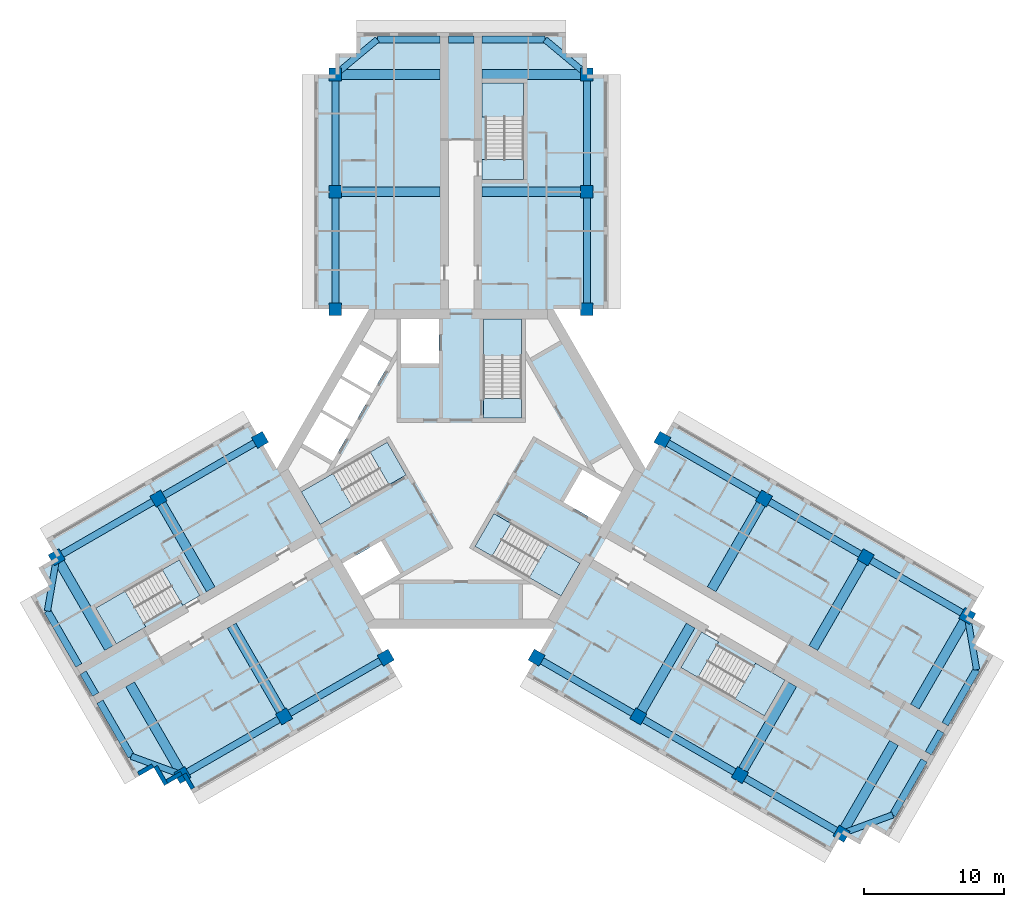
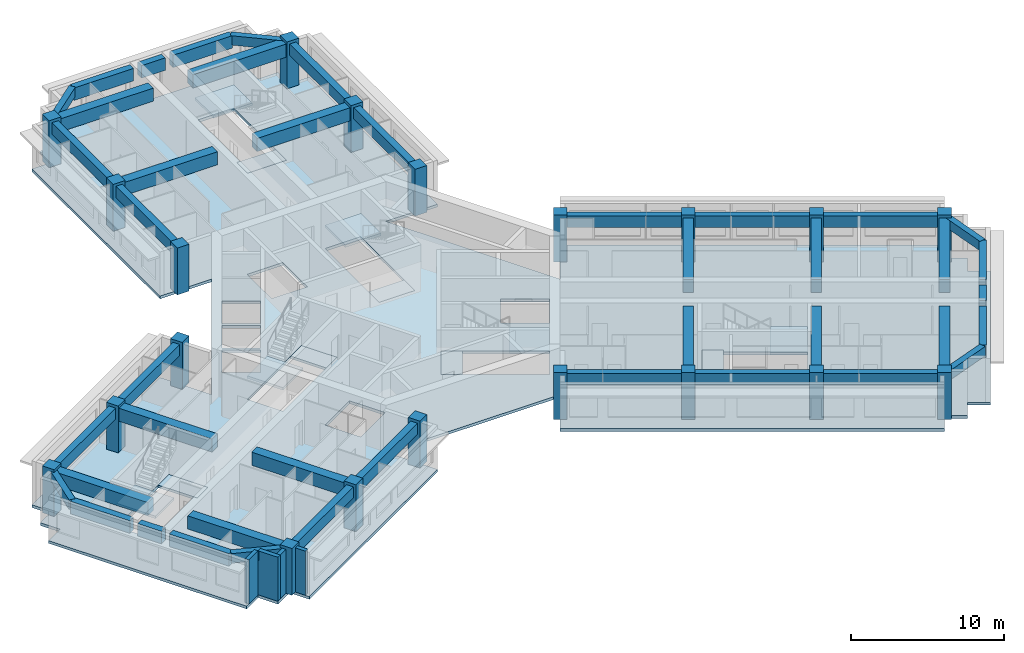
# One storey, part 1 of 10: 43 beams, 20 columns, 13 slabs, 4 walls, 6 elements without a shape of their own.
"""IFC4 building model written with IfcOpenShell, lengths in metres."""

from ifc_helpers import new_model, si_unit, direction, frame, frame_2d, origin, origin_2d, place, context, subcontext, project, spatial, polyline, rectangle, outline, extrude, material, layer, layer_set, material_profile, profile_set, type_object, element, aggregate, save


model = new_model("IFC4")

# Units and contexts
model_context = context("Model", 3, precision=1e-05, world=origin(), true_north=direction((0.0, 1.0)))
body_context = subcontext(model_context, "Body", "Model", "MODEL_VIEW")
ifc_project = project(units=[si_unit("LENGTHUNIT", "METRE"), si_unit("AREAUNIT", "SQUARE_METRE"), si_unit("VOLUMEUNIT", "CUBIC_METRE"), si_unit("PLANEANGLEUNIT", "RADIAN"), si_unit("MASSUNIT", "GRAM", prefix="KILO")], contexts=[model_context])

# Site, building, storey
site_placement = place(None, origin())
site = spatial("IfcSite", under=ifc_project, at=site_placement, CompositionType="ELEMENT")
building_placement = place(site_placement, origin())
building = spatial("IfcBuilding", under=site, at=building_placement, Name="Impinga Residences", CompositionType="ELEMENT")
storey_placement = place(building_placement, frame((0.0, 0.0, 229.75)))
storey = spatial("IfcBuildingStorey", under=building, at=storey_placement, Name="L57", CompositionType="ELEMENT", Elevation=229.75)

# Columns
ifc_material_1 = material(Name="Concrete C60/75", Category="concrete")
ifc_material_profile_1 = material_profile(ifc_material_1, rectangle(XDim=0.89990234375, YDim=0.89990234375, at=origin_2d()), Name="RC 900x900")
ifc_profile_set_1 = profile_set([ifc_material_profile_1], Name="Concrete C60/75")
column_type = type_object("IfcColumnType", Name="C4 900x900 column", PredefinedType="COLUMN", material=ifc_profile_set_1)
for number, where, z_axis, x_axis, name in (
    (1, (-9.0, 11.431640625, 0.0), (0.0, 0.0, 1.0), (1.0, 0.0, 0.0), "Column C4 N1/NA L57"),
    (2, (9.0, 11.431640625, 0.0), (0.0, 0.0, 1.0), (1.0, 0.0, 0.0), "Column C4 N1/NF L57"),
    (3, (-9.0, 19.83154296875, 0.0), (0.0, 0.0, 1.0), (1.0, 0.0, 0.0), "Column C4 N2/NA L57"),
    (4, (9.0, 19.83154296875, 0.0), (0.0, 0.0, 1.0), (1.0, 0.0, 0.0), "Column C4 N2/NF L57"),
    (5, (-9.0, 28.2314453125, 0.0), (0.0, 0.0, 1.0), (1.0, 0.0, 0.0), "Column C4 N3/NA L57"),
    (6, (9.0, 28.2314453125, 0.0), (0.0, 0.0, 1.0), (1.0, 0.0, 0.0), "Column C4 N3/NF L57"),
    (7, (-5.39990234375, -13.510009765625, 0.0), (0.0, 0.0, 1.0), (-0.5, 0.866025403784, 0.0), "Column C4 W1/WA L57"),
    (8, (-14.39990234375, 2.078369140625, 0.0), (0.0, 0.0, 1.0), (-0.5, 0.866025403784, 0.0), "Column C4 W1/WF L57"),
    (9, (-12.674560546875, -17.7099609375, 0.0), (0.0, 0.0, 1.0), (-0.5, 0.866025403784, 0.0), "Column C4 W2/WA L57"),
    (10, (-21.674560546875, -2.12158203125, 0.0), (0.0, 0.0, 1.0), (-0.5, 0.866025403784, 0.0), "Column C4 W2/WF L57"),
    (11, (-19.94921875, -21.909912109375, 0.0), (0.0, 0.0, 1.0), (-0.5, 0.866025403784, 0.0), "Column C4 W3/WA L57"),
    (12, (-28.94921875, -6.321533203125, 0.0), (0.0, 0.0, 1.0), (-0.5, 0.866025403784, 0.0), "Column C4 W3/WF L57"),
    (13, (14.39990234375, 2.078369140625, 0.0), (0.0, 0.0, 1.0), (-0.5, -0.866025403784, 0.0), "Column C4 E1/EA L57"),
    (14, (5.39990234375, -13.510009765625, 0.0), (0.0, 0.0, 1.0), (-0.5, -0.866025403784, 0.0), "Column C4 E1/EF L57"),
    (15, (21.674560546875, -2.12158203125, 0.0), (0.0, 0.0, 1.0), (-0.5, -0.866025403784, 0.0), "Column C4 E2/EA L57"),
    (16, (12.674560546875, -17.7099609375, 0.0), (0.0, 0.0, 1.0), (-0.5, -0.866025403784, 0.0), "Column C4 E2/EF L57"),
    (17, (28.94921875, -6.321533203125, 0.0), (0.0, 0.0, 1.0), (-0.5, -0.866025403784, 0.0), "Column C4 E3/EA L57"),
    (18, (19.94921875, -21.909912109375, 0.0), (0.0, 0.0, 1.0), (-0.5, -0.866025403784, 0.0), "Column C4 E3/EF L57"),
    (19, (36.223876953125, -10.521484375, 0.0), (0.0, 0.0, 1.0), (-0.5, -0.866025403784, 0.0), "Column C4 E4/EA L57"),
    (20, (27.223876953125, -26.110107421875, 0.0), (0.0, 0.0, 1.0), (-0.5, -0.866025403784, 0.0), "Column C4 E4/EF L57"),
):
    element("IfcColumn", number, at=place(storey_placement, frame(where, z_axis=z_axis, x_axis=x_axis)), inside=storey, type_object=column_type, Name=name, PredefinedType="COLUMN", context=body_context, shape_type="SweptSolid", body=[
        extrude(rectangle(XDim=0.89990234375, YDim=0.89990234375, at=origin_2d()), origin(), (0.0, 0.0, 1.0), 3.75),
    ])

# Beams
ifc_material_profile_2 = material_profile(ifc_material_1, rectangle(XDim=0.449951171875, YDim=0.75, at=origin_2d()), Name="RC 450x750")
ifc_profile_set_2 = profile_set([ifc_material_profile_2], Name="Concrete C60/75")
beam_type_1 = type_object("IfcBeamType", Name="CB1 450x750 wing end cantilever beam", PredefinedType="BEAM", material=ifc_profile_set_2)
for number, where, z_axis, x_axis, name in (
    (21, (-9.0, 28.2314453125, 3.155029296875), (0.768221279597, 0.640184399664, 0.0), (-0.640184399664, 0.768221279597, 0.0), "Beam CB1 NB N3-NX level L58"),
    (22, (9.0, 28.2314453125, 3.155029296875), (-0.768221279597, 0.640184399664, 0.0), (-0.640184399664, -0.768221279597, 0.0), "Beam CB1 NE N3-NX level L58"),
    (23, (-19.94921875, -21.909912109375, 3.155029296875), (-0.93854043338, 0.345169313396, 0.0), (-0.345169313396, -0.93854043338, 0.0), "Beam CB1 WB W3-WX level L58"),
):
    element("IfcBeam", number, at=place(storey_placement, frame(where, z_axis=z_axis, x_axis=x_axis)), inside=storey, type_object=beam_type_1, Name=name, PredefinedType="BEAM", context=body_context, shape_type="SweptSolid", body=[
        extrude(rectangle(XDim=0.449951171875, YDim=0.75, at=origin_2d()), origin(), (0.0, 0.0, 1.0), 3.905029296875),
    ])
for number, where, z_axis, x_axis, name in (
    (24, (-28.94921875, -6.321533203125, 3.155029296875), (-0.170296298948, -0.985392901621, 0.0), (0.985392901621, -0.170296298948, 0.0), "Beam CB1 WE W3-WX level L58"),
    (25, (36.223876953125, -10.521484375, 3.155029296875), (0.170296298948, -0.985392901621, 0.0), (0.985392901621, 0.170296298948, 0.0), "Beam CB1 EB E4-EX level L58"),
):
    element("IfcBeam", number, at=place(storey_placement, frame(where, z_axis=z_axis, x_axis=x_axis)), inside=storey, type_object=beam_type_1, Name=name, PredefinedType="BEAM", context=body_context, shape_type="SweptSolid", body=[
        extrude(rectangle(XDim=0.449951171875, YDim=0.75, at=origin_2d()), origin(), (0.0, 0.0, 1.0), 3.9052734375),
    ])
beam_1_placement = place(storey_placement, frame((27.223876953125, -26.110107421875, 3.155029296875), z_axis=(0.938520178725, 0.345224382289, 0.0), x_axis=(-0.345224382289, 0.938520178725, 0.0)))
element("IfcBeam", 26, at=beam_1_placement, inside=storey, type_object=beam_type_1, Name="Beam CB1 EE E4-EX level L58", PredefinedType="BEAM", context=body_context, shape_type="SweptSolid", body=[
    extrude(rectangle(XDim=0.449951171875, YDim=0.75, at=origin_2d()), origin(), (0.0, 0.0, 1.0), 3.905029296875),
])
ifc_material_profile_3 = material_profile(ifc_material_1, rectangle(XDim=0.699951171875, YDim=1.050048828125, at=origin_2d()), Name="RC 700x1050")
ifc_profile_set_3 = profile_set([ifc_material_profile_3], Name="Concrete C60/75")
beam_type_2 = type_object("IfcBeamType", Name="CG1 700x1050 cross girder on a wing bay line", PredefinedType="BEAM", material=ifc_profile_set_3)
for number, where, z_axis, x_axis, name in (
    (27, (-1.5, 19.83154296875, 3.0048828125), (-1.0, 0.0, 0.0), (0.0, -1.0, 0.0), "Beam CG1 N2 NC/NA level L58"),
    (28, (-1.5, 28.2314453125, 3.0048828125), (-1.0, 0.0, 0.0), (0.0, -1.0, 0.0), "Beam CG1 N3 NC/NA level L58"),
    (29, (1.5, 19.83154296875, 3.0048828125), (1.0, 0.0, 0.0), (0.0, 1.0, 0.0), "Beam CG1 N2 NC/NF level L58"),
    (30, (1.5, 28.2314453125, 3.0048828125), (1.0, 0.0, 0.0), (0.0, 1.0, 0.0), "Beam CG1 N3 NC/NF level L58"),
    (31, (-16.424560546875, -11.21484375, 3.0048828125), (0.500004234368, -0.866022959057, 0.0), (0.866022959057, 0.500004234368, 0.0), "Beam CG1 W2 WC/WA level L58"),
    (32, (-23.69921875, -15.414794921875, 3.0048828125), (0.500004234368, -0.866022959057, 0.0), (0.866022959057, 0.500004234368, 0.0), "Beam CG1 W3 WC/WA level L58"),
    (33, (-17.924560546875, -8.61669921875, 3.0048828125), (-0.500004234368, 0.866022959057, 0.0), (-0.866022959057, -0.500004234368, 0.0), "Beam CG1 W2 WC/WF level L58"),
    (34, (-25.19921875, -12.816650390625, 3.0048828125), (-0.500004234368, 0.866022959057, 0.0), (-0.866022959057, -0.500004234368, 0.0), "Beam CG1 W3 WC/WF level L58"),
    (35, (17.924560546875, -8.61669921875, 3.0048828125), (0.500004234368, 0.866022959057, 0.0), (-0.866022959057, 0.500004234368, 0.0), "Beam CG1 E2 EC/EA level L58"),
    (36, (25.19921875, -12.816650390625, 3.0048828125), (0.500004234368, 0.866022959057, 0.0), (-0.866022959057, 0.500004234368, 0.0), "Beam CG1 E3 EC/EA level L58"),
):
    element("IfcBeam", number, at=place(storey_placement, frame(where, z_axis=z_axis, x_axis=x_axis)), inside=storey, type_object=beam_type_2, Name=name, PredefinedType="BEAM", context=body_context, shape_type="SweptSolid", body=[
        extrude(rectangle(XDim=0.699951171875, YDim=1.050048828125, at=origin_2d()), origin(), (0.0, 0.0, 1.0), 7.5),
    ])
beam_2_placement = place(storey_placement, frame((32.473876953125, -17.016845703125, 3.0048828125), z_axis=(0.499990139034, 0.866031096941, 0.0), x_axis=(-0.866031096941, 0.499990139034, 0.0)))
element("IfcBeam", 37, at=beam_2_placement, inside=storey, type_object=beam_type_2, Name="Beam CG1 E4 EC/EA level L58", PredefinedType="BEAM", context=body_context, shape_type="SweptSolid", body=[
    extrude(rectangle(XDim=0.699951171875, YDim=1.050048828125, at=origin_2d()), origin(), (0.0, 0.0, 1.0), 7.500244140625),
])
for number, where, z_axis, x_axis, name in (
    (38, (16.424560546875, -11.21484375, 3.0048828125), (-0.500004234368, -0.866022959057, 0.0), (0.866022959057, -0.500004234368, 0.0), "Beam CG1 E2 EC/EF level L58"),
    (39, (23.69921875, -15.414794921875, 3.0048828125), (-0.500004234368, -0.866022959057, 0.0), (0.866022959057, -0.500004234368, 0.0), "Beam CG1 E3 EC/EF level L58"),
):
    element("IfcBeam", number, at=place(storey_placement, frame(where, z_axis=z_axis, x_axis=x_axis)), inside=storey, type_object=beam_type_2, Name=name, PredefinedType="BEAM", context=body_context, shape_type="SweptSolid", body=[
        extrude(rectangle(XDim=0.699951171875, YDim=1.050048828125, at=origin_2d()), origin(), (0.0, 0.0, 1.0), 7.5),
    ])
beam_3_placement = place(storey_placement, frame((30.973876953125, -19.61474609375, 3.0048828125), z_axis=(-0.499990139034, -0.866031096941, 0.0), x_axis=(0.866031096941, -0.499990139034, 0.0)))
element("IfcBeam", 40, at=beam_3_placement, inside=storey, type_object=beam_type_2, Name="Beam CG1 E4 EC/EF level L58", PredefinedType="BEAM", context=body_context, shape_type="SweptSolid", body=[
    extrude(rectangle(XDim=0.699951171875, YDim=1.050048828125, at=origin_2d()), origin(), (0.0, 0.0, 1.0), 7.500244140625),
])
ifc_material_profile_4 = material_profile(ifc_material_1, rectangle(XDim=0.5, YDim=1.0, at=origin_2d()), Name="RC 500x1000")
ifc_profile_set_4 = profile_set([ifc_material_profile_4], Name="Concrete C60/75")
beam_type_3 = type_object("IfcBeamType", Name="EB1 500x1000 wing end beam", PredefinedType="BEAM", material=ifc_profile_set_4)
beam_4_placement = place(storey_placement, frame((-6.0, 30.7314453125, 3.030029296875), z_axis=(1.0, 0.0, 0.0), x_axis=(0.0, 1.0, 0.0)))
element("IfcBeam", 41, at=beam_4_placement, inside=storey, type_object=beam_type_3, Name="Beam EB1 NX2 level L58", PredefinedType="BEAM", context=body_context, shape_type="SweptSolid", body=[
    extrude(rectangle(XDim=0.5, YDim=1.0, at=origin_2d()), origin(), (0.0, 0.0, 1.0), 4.5),
])
beam_5_placement = place(storey_placement, frame((-0.89990234375, 30.7314453125, 3.030029296875), z_axis=(1.0, 0.0, 0.0), x_axis=(0.0, 1.0, 0.0)))
element("IfcBeam", 42, at=beam_5_placement, inside=storey, type_object=beam_type_3, Name="Beam EB1 NX2 level L58", PredefinedType="BEAM", context=body_context, shape_type="SweptSolid", body=[
    extrude(rectangle(XDim=0.5, YDim=1.0, at=origin_2d()), origin(), (0.0, 0.0, 1.0), 1.7998046875),
])
for number, where, z_axis, x_axis, name in (
    (43, (1.5, 30.7314453125, 3.030029296875), (1.0, 0.0, 0.0), (0.0, 1.0, 0.0), "Beam EB1 NX2 level L58"),
    (44, (-23.6142578125, -20.56201171875, 3.030029296875), (-0.499990139034, 0.866031096941, 0.0), (-0.866031096941, -0.499990139034, 0.0), "Beam EB1 WX2 level L58"),
):
    element("IfcBeam", number, at=place(storey_placement, frame(where, z_axis=z_axis, x_axis=x_axis)), inside=storey, type_object=beam_type_3, Name=name, PredefinedType="BEAM", context=body_context, shape_type="SweptSolid", body=[
        extrude(rectangle(XDim=0.5, YDim=1.0, at=origin_2d()), origin(), (0.0, 0.0, 1.0), 4.5),
    ])
beam_6_placement = place(storey_placement, frame((-26.164306640625, -16.145263671875, 3.030029296875), z_axis=(-0.499961193289, 0.866047807691, 0.0), x_axis=(-0.866047807691, -0.499961193289, 0.0)))
element("IfcBeam", 45, at=beam_6_placement, inside=storey, type_object=beam_type_3, Name="Beam EB1 WX2 level L58", PredefinedType="BEAM", context=body_context, shape_type="SweptSolid", body=[
    extrude(rectangle(XDim=0.5, YDim=1.0, at=origin_2d()), origin(), (0.0, 0.0, 1.0), 1.800048828125),
])
beam_7_placement = place(storey_placement, frame((-27.3642578125, -14.066650390625, 3.030029296875), z_axis=(-0.500013631625, 0.866017533419, 0.0), x_axis=(-0.866017533419, -0.500013631625, 0.0)))
element("IfcBeam", 46, at=beam_7_placement, inside=storey, type_object=beam_type_3, Name="Beam EB1 WX2 level L58", PredefinedType="BEAM", context=body_context, shape_type="SweptSolid", body=[
    extrude(rectangle(XDim=0.5, YDim=1.0, at=origin_2d()), origin(), (0.0, 0.0, 1.0), 4.499755859375),
])
beam_8_placement = place(storey_placement, frame((36.888916015625, -14.36962890625, 3.030029296875), z_axis=(-0.499990139034, -0.866031096941, 0.0), x_axis=(0.866031096941, -0.499990139034, 0.0)))
element("IfcBeam", 47, at=beam_8_placement, inside=storey, type_object=beam_type_3, Name="Beam EB1 EX3 level L58", PredefinedType="BEAM", context=body_context, shape_type="SweptSolid", body=[
    extrude(rectangle(XDim=0.5, YDim=1.0, at=origin_2d()), origin(), (0.0, 0.0, 1.0), 4.5),
])
beam_9_placement = place(storey_placement, frame((34.3388671875, -18.786376953125, 3.030029296875), z_axis=(-0.499961193289, -0.866047807691, 0.0), x_axis=(0.866047807691, -0.499961193289, 0.0)))
element("IfcBeam", 48, at=beam_9_placement, inside=storey, type_object=beam_type_3, Name="Beam EB1 EX3 level L58", PredefinedType="BEAM", context=body_context, shape_type="SweptSolid", body=[
    extrude(rectangle(XDim=0.5, YDim=1.0, at=origin_2d()), origin(), (0.0, 0.0, 1.0), 1.800048828125),
])
beam_10_placement = place(storey_placement, frame((33.138916015625, -20.86474609375, 3.030029296875), z_axis=(-0.499990139034, -0.866031096941, 0.0), x_axis=(0.866031096941, -0.499990139034, 0.0)))
element("IfcBeam", 49, at=beam_10_placement, inside=storey, type_object=beam_type_3, Name="Beam EB1 EX3 level L58", PredefinedType="BEAM", context=body_context, shape_type="SweptSolid", body=[
    extrude(rectangle(XDim=0.5, YDim=1.0, at=origin_2d()), origin(), (0.0, 0.0, 1.0), 4.5),
])
ifc_material_profile_5 = material_profile(ifc_material_1, rectangle(XDim=0.5, YDim=0.89990234375, at=origin_2d()), Name="RC 500x900")
ifc_profile_set_5 = profile_set([ifc_material_profile_5], Name="Concrete C60/75")
beam_type_4 = type_object("IfcBeamType", Name="SB1 500x900 perimeter spandrel beam", PredefinedType="SPANDREL", material=ifc_profile_set_5)
for number, where, z_axis, x_axis, name in (
    (50, (-9.0, 11.431640625, 3.080078125), (0.0, 1.0, 0.0), (-1.0, 0.0, 0.0), "Beam SB1 NA N1-N2 level L58"),
    (51, (-9.0, 19.83154296875, 3.080078125), (0.0, 1.0, 0.0), (-1.0, 0.0, 0.0), "Beam SB1 NA N2-N3 level L58"),
    (52, (9.0, 11.431640625, 3.080078125), (0.0, 1.0, 0.0), (-1.0, 0.0, 0.0), "Beam SB1 NF N1-N2 level L58"),
    (53, (9.0, 19.83154296875, 3.080078125), (0.0, 1.0, 0.0), (-1.0, 0.0, 0.0), "Beam SB1 NF N2-N3 level L58"),
    (54, (-5.39990234375, -13.510009765625, 3.080078125), (-0.86602925447, -0.499993330357, 0.0), (0.499993330357, -0.86602925447, 0.0), "Beam SB1 WA W1-W2 level L58"),
    (55, (-12.674560546875, -17.7099609375, 3.080078125), (-0.86602925447, -0.499993330357, 0.0), (0.499993330357, -0.86602925447, 0.0), "Beam SB1 WA W2-W3 level L58"),
    (56, (-14.39990234375, 2.078369140625, 3.080078125), (-0.86602925447, -0.499993330357, 0.0), (0.499993330357, -0.86602925447, 0.0), "Beam SB1 WF W1-W2 level L58"),
    (57, (-21.674560546875, -2.12158203125, 3.080078125), (-0.86602925447, -0.499993330357, 0.0), (0.499993330357, -0.86602925447, 0.0), "Beam SB1 WF W2-W3 level L58"),
    (58, (14.39990234375, 2.078369140625, 3.080078125), (0.86602925447, -0.499993330357, 0.0), (0.499993330357, 0.86602925447, 0.0), "Beam SB1 EA E1-E2 level L58"),
    (59, (21.674560546875, -2.12158203125, 3.080078125), (0.86602925447, -0.499993330357, 0.0), (0.499993330357, 0.86602925447, 0.0), "Beam SB1 EA E2-E3 level L58"),
    (60, (28.94921875, -6.321533203125, 3.080078125), (0.86602925447, -0.499993330357, 0.0), (0.499993330357, 0.86602925447, 0.0), "Beam SB1 EA E3-E4 level L58"),
    (61, (5.39990234375, -13.510009765625, 3.080078125), (0.86602925447, -0.499993330357, 0.0), (0.499993330357, 0.86602925447, 0.0), "Beam SB1 EF E1-E2 level L58"),
    (62, (12.674560546875, -17.7099609375, 3.080078125), (0.86602925447, -0.499993330357, 0.0), (0.499993330357, 0.86602925447, 0.0), "Beam SB1 EF E2-E3 level L58"),
):
    element("IfcBeam", number, at=place(storey_placement, frame(where, z_axis=z_axis, x_axis=x_axis)), inside=storey, type_object=beam_type_4, Name=name, PredefinedType="SPANDREL", context=body_context, shape_type="SweptSolid", body=[
        extrude(rectangle(XDim=0.5, YDim=0.89990234375, at=origin_2d()), origin(), (0.0, 0.0, 1.0), 8.39990234375),
    ])
beam_11_placement = place(storey_placement, frame((19.94921875, -21.909912109375, 3.080078125), z_axis=(0.866016669275, -0.500015128309, 0.0), x_axis=(0.500015128309, 0.866016669275, 0.0)))
element("IfcBeam", 63, at=beam_11_placement, inside=storey, type_object=beam_type_4, Name="Beam SB1 EF E3-E4 level L58", PredefinedType="SPANDREL", context=body_context, shape_type="SweptSolid", body=[
    extrude(rectangle(XDim=0.5, YDim=0.89990234375, at=origin_2d()), origin(), (0.0, 0.0, 1.0), 8.400146484375),
])

# Slab
ifc_layer_1 = layer(ifc_material_1, 0.219970703125)
ifc_layer_set_1 = layer_set([ifc_layer_1], Name="Concrete C60/75")
slab_type_1 = type_object("IfcSlabType", Name="FS1 tower floor slab 220", PredefinedType="FLOOR", material=ifc_layer_set_1)
slab_1_placement = place(storey_placement, frame((0.0, 0.0, -0.219970703125)))
element("IfcSlab", 64, at=slab_1_placement, inside=storey, type_object=slab_type_1, Name="Floor slab FS1 L57", PredefinedType="FLOOR", context=body_context, shape_type="SweptSolid", body=[
    extrude(outline(polyline([(36.223876953125, -10.521484375), (37.52294921875, -11.271484375), (36.77294921875, -12.570556640625), (38.072021484375, -13.320556640625), (30.572021484375, -26.31103515625), (29.27294921875, -25.56103515625), (28.52294921875, -26.860107421875), (27.223876953125, -26.110107421875), (26.473876953125, -27.408935546875), (4.64990234375, -14.80908203125), (9.900146484375, -5.7158203125), (6.60009765625, -11.431640625), (-6.60009765625, -11.431640625), (-9.900146484375, -5.7158203125), (-4.64990234375, -14.80908203125), (-19.19921875, -23.208984375), (-19.94921875, -21.909912109375), (-21.248291015625, -22.659912109375), (-21.998291015625, -21.36083984375), (-23.29736328125, -22.11083984375), (-30.79736328125, -9.12060546875), (-29.498291015625, -8.37060546875), (-30.248291015625, -7.071533203125), (-28.94921875, -6.321533203125), (-29.69921875, -5.0224609375), (-15.14990234375, 3.37744140625), (-13.199951171875, 0.0), (-6.60009765625, 11.431640625), (-10.5, 11.431640625), (-10.5, 28.2314453125), (-9.0, 28.2314453125), (-9.0, 29.7314453125), (-7.5, 29.7314453125), (-7.5, 31.2314453125), (7.5, 31.2314453125), (7.5, 29.7314453125), (9.0, 29.7314453125), (9.0, 28.2314453125), (10.5, 28.2314453125), (10.5, 11.431640625), (6.60009765625, 11.431640625), (13.199951171875, 0.0), (15.14990234375, 3.37744140625), (36.973876953125, -9.222412109375), (36.223876953125, -10.521484375)]), holes=[polyline([(-18.7041015625, -9.066650390625), (-18.8291015625, -8.850341796875), (-18.8291015625, -8.850341796875), (-20.178955078125, -6.511962890625), (-21.391357421875, -7.2119140625), (-21.391357421875, -7.2119140625), (-26.154541015625, -9.9619140625), (-24.8046875, -12.30029296875), (-20.04150390625, -9.55029296875), (-19.91650390625, -9.766845703125), (-18.7041015625, -9.066650390625)]), polyline([(-5.72119140625, -5.150634765625), (-8.493896484375, -6.75146484375), (-7.143798828125, -9.089599609375), (-4.37109375, -7.489013671875), (-5.72119140625, -5.150634765625)]), polyline([(-5.293701171875, 1.908935546875), (-11.44384765625, -1.641845703125), (-10.09375, -3.980224609375), (-3.943603515625, -0.429443359375), (-5.293701171875, 1.908935546875)]), polyline([(-7.878662109375, 2.816650390625), (-10.043701171875, 4.066650390625), (-11.34375, 1.81494140625), (-9.1787109375, 0.56494140625), (-7.878662109375, 2.816650390625)]), polyline([(-6.478759765625, 5.24169921875), (-8.643798828125, 6.49169921875), (-9.94384765625, 4.239990234375), (-7.77880859375, 2.989990234375), (-6.478759765625, 5.24169921875)]), polyline([(-6.378662109375, 5.414794921875), (-5.07861328125, 7.66650390625), (-7.243896484375, 8.91650390625), (-8.543701171875, 6.664794921875), (-6.378662109375, 5.414794921875)]), polyline([(-4.300048828125, 7.530029296875), (-1.60009765625, 7.530029296875), (-1.60009765625, 10.7314453125), (-4.300048828125, 10.7314453125), (-4.300048828125, 7.530029296875)]), polyline([(15.72900390625, -14.219482421875), (21.70458984375, -17.669677734375), (23.0546875, -15.331298828125), (18.29150390625, -12.581298828125), (18.41650390625, -12.36474609375), (17.2041015625, -11.664794921875), (15.72900390625, -14.219482421875)]), polyline([(0.99365234375, -5.538818359375), (7.143798828125, -9.089599609375), (8.493896484375, -6.75146484375), (2.34375, -3.20068359375), (0.99365234375, -5.538818359375)]), polyline([(7.3212890625, -2.37939453125), (10.09375, -3.980224609375), (11.44384765625, -1.641845703125), (8.671142578125, -0.041015625), (7.3212890625, -2.37939453125)]), polyline([(4.300048828125, 3.6298828125), (4.300048828125, 10.7314453125), (1.60009765625, 10.7314453125), (1.60009765625, 3.6298828125), (4.300048828125, 3.6298828125)]), polyline([(1.75, 22.131591796875), (1.5, 22.131591796875), (1.5, 20.7314453125), (1.75, 20.7314453125), (4.449951171875, 20.7314453125), (4.449951171875, 22.131591796875), (4.449951171875, 27.631591796875), (1.75, 27.631591796875), (1.75, 22.131591796875)])]), origin(), (0.0, 0.0, 1.0), 0.219970703125),
])

# Stair, slabs
ifc_material_2 = material(Name="Concrete C40/50", Category="concrete")
stair_type_1 = type_object("IfcStairType", Name="STR core stair 3750 storey, 24 risers", PredefinedType="HALF_TURN_STAIR", material=ifc_material_2)
stair_1_placement = place(storey_placement, origin())
stair_1 = element("IfcStair", 65, at=stair_1_placement, inside=storey, type_object=stair_type_1, Name="Stair ST1 L57", PredefinedType="HALF_TURN_STAIR")
ifc_layer_2 = layer(ifc_material_2, 0.199951171875)
ifc_layer_set_2 = layer_set([ifc_layer_2], Name="Concrete C40/50")
slab_type_2 = type_object("IfcSlabType", Name="LS1 stair landing 200", PredefinedType="LANDING", material=ifc_layer_set_2)
slab_2_placement = place(storey_placement, frame((0.0, 0.0, -0.199951171875)))
slab_2 = element("IfcSlab", 66, at=slab_2_placement, type_object=slab_type_2, Name="ST1 landing 1", PredefinedType="LANDING", context=body_context, shape_type="SweptSolid", body=[
    extrude(outline(polyline([(1.60009765625, 3.6298828125), (4.300048828125, 3.6298828125), (4.300048828125, 5.0400390625), (1.60009765625, 5.0400390625), (1.60009765625, 3.6298828125)])), origin(), (0.0, 0.0, 1.0), 0.199951171875),
])
slab_3_placement = place(storey_placement, frame((0.0, 0.0, 1.675048828125)))
slab_3 = element("IfcSlab", 67, at=slab_3_placement, type_object=slab_type_2, Name="ST1 landing 2", PredefinedType="LANDING", context=body_context, shape_type="SweptSolid", body=[
    extrude(outline(polyline([(1.60009765625, 8.10009765625), (4.300048828125, 8.10009765625), (4.300048828125, 10.7314453125), (1.60009765625, 10.7314453125), (1.60009765625, 8.10009765625)])), origin(), (0.0, 0.0, 1.0), 0.199951171875),
])
aggregate(stair_1, [slab_2, slab_3])

stair_2_placement = place(storey_placement, origin())
stair_2 = element("IfcStair", 68, at=stair_2_placement, inside=storey, type_object=stair_type_1, Name="Stair ST2 L57", PredefinedType="HALF_TURN_STAIR")
slab_4_placement = place(storey_placement, frame((0.0, 0.0, -0.199951171875)))
slab_4 = element("IfcSlab", 69, at=slab_4_placement, type_object=slab_type_2, Name="ST2 landing 1", PredefinedType="LANDING", context=body_context, shape_type="SweptSolid", body=[
    extrude(outline(polyline([(-3.943603515625, -0.429443359375), (-5.293701171875, 1.908935546875), (-6.5146484375, 1.203857421875), (-5.164794921875, -1.13427734375), (-3.943603515625, -0.429443359375)])), origin(), (0.0, 0.0, 1.0), 0.199951171875),
])
slab_5_placement = place(storey_placement, frame((0.0, 0.0, 1.675048828125)))
slab_5 = element("IfcSlab", 70, at=slab_5_placement, type_object=slab_type_2, Name="ST2 landing 2", PredefinedType="LANDING", context=body_context, shape_type="SweptSolid", body=[
    extrude(outline(polyline([(-7.814697265625, -2.664306640625), (-9.164794921875, -0.326171875), (-11.44384765625, -1.641845703125), (-10.09375, -3.980224609375), (-7.814697265625, -2.664306640625)])), origin(), (0.0, 0.0, 1.0), 0.199951171875),
])
aggregate(stair_2, [slab_4, slab_5])

stair_3_placement = place(storey_placement, origin())
stair_3 = element("IfcStair", 71, at=stair_3_placement, inside=storey, type_object=stair_type_1, Name="Stair ST3 L57", PredefinedType="HALF_TURN_STAIR")
slab_6_placement = place(storey_placement, frame((0.0, 0.0, -0.199951171875)))
slab_6 = element("IfcSlab", 72, at=slab_6_placement, type_object=slab_type_2, Name="ST3 landing 1", PredefinedType="LANDING", context=body_context, shape_type="SweptSolid", body=[
    extrude(outline(polyline([(2.34375, -3.20068359375), (0.99365234375, -5.538818359375), (2.21484375, -6.243896484375), (3.564697265625, -3.90576171875), (2.34375, -3.20068359375)])), origin(), (0.0, 0.0, 1.0), 0.199951171875),
])
slab_7_placement = place(storey_placement, frame((0.0, 0.0, 1.675048828125)))
slab_7 = element("IfcSlab", 73, at=slab_7_placement, type_object=slab_type_2, Name="ST3 landing 2", PredefinedType="LANDING", context=body_context, shape_type="SweptSolid", body=[
    extrude(outline(polyline([(6.21484375, -5.435546875), (4.86474609375, -7.77392578125), (7.143798828125, -9.089599609375), (8.493896484375, -6.75146484375), (6.21484375, -5.435546875)])), origin(), (0.0, 0.0, 1.0), 0.199951171875),
])
aggregate(stair_3, [slab_6, slab_7])

stair_type_2 = type_object("IfcStairType", Name="STR wing stair 3750 storey, 24 risers", PredefinedType="HALF_TURN_STAIR", material=ifc_material_2)
stair_4_placement = place(storey_placement, origin())
stair_4 = element("IfcStair", 74, at=stair_4_placement, inside=storey, type_object=stair_type_2, Name="Stair WS1 L57", PredefinedType="HALF_TURN_STAIR")
slab_8_placement = place(storey_placement, frame((0.0, 0.0, -0.199951171875)))
slab_8 = element("IfcSlab", 75, at=slab_8_placement, type_object=slab_type_2, Name="WS1 landing 1", PredefinedType="LANDING", context=body_context, shape_type="SweptSolid", body=[
    extrude(outline(polyline([(1.5, 20.7314453125), (4.449951171875, 20.7314453125), (4.449951171875, 22.1416015625), (1.5, 22.1416015625), (1.5, 20.7314453125)])), origin(), (0.0, 0.0, 1.0), 0.199951171875),
])
slab_9_placement = place(storey_placement, frame((0.0, 0.0, 1.675048828125)))
slab_9 = element("IfcSlab", 76, at=slab_9_placement, type_object=slab_type_2, Name="WS1 landing 2", PredefinedType="LANDING", context=body_context, shape_type="SweptSolid", body=[
    extrude(outline(polyline([(1.5, 25.201416015625), (4.449951171875, 25.201416015625), (4.449951171875, 27.631591796875), (1.5, 27.631591796875), (1.5, 25.201416015625)])), origin(), (0.0, 0.0, 1.0), 0.199951171875),
])
aggregate(stair_4, [slab_8, slab_9])

stair_5_placement = place(storey_placement, origin())
stair_5 = element("IfcStair", 77, at=stair_5_placement, inside=storey, type_object=stair_type_2, Name="Stair WS2 L57", PredefinedType="HALF_TURN_STAIR")
slab_10_placement = place(storey_placement, frame((0.0, 0.0, -0.199951171875)))
slab_10 = element("IfcSlab", 78, at=slab_10_placement, type_object=slab_type_2, Name="WS2 landing 1", PredefinedType="LANDING", context=body_context, shape_type="SweptSolid", body=[
    extrude(outline(polyline([(-18.7041015625, -9.066650390625), (-20.178955078125, -6.511962890625), (-21.400146484375, -7.217041015625), (-19.925048828125, -9.771728515625), (-18.7041015625, -9.066650390625)])), origin(), (0.0, 0.0, 1.0), 0.199951171875),
])
slab_11_placement = place(storey_placement, frame((0.0, 0.0, 1.675048828125)))
slab_11 = element("IfcSlab", 79, at=slab_11_placement, type_object=slab_type_2, Name="WS2 landing 2", PredefinedType="LANDING", context=body_context, shape_type="SweptSolid", body=[
    extrude(outline(polyline([(-22.5751953125, -11.3017578125), (-24.050048828125, -8.7470703125), (-26.154541015625, -9.9619140625), (-24.6796875, -12.516845703125), (-22.5751953125, -11.3017578125)])), origin(), (0.0, 0.0, 1.0), 0.199951171875),
])
aggregate(stair_5, [slab_10, slab_11])

stair_6_placement = place(storey_placement, origin())
stair_6 = element("IfcStair", 80, at=stair_6_placement, inside=storey, type_object=stair_type_2, Name="Stair WS3 L57", PredefinedType="HALF_TURN_STAIR")
slab_12_placement = place(storey_placement, frame((0.0, 0.0, -0.199951171875)))
slab_12 = element("IfcSlab", 81, at=slab_12_placement, type_object=slab_type_2, Name="WS3 landing 1", PredefinedType="LANDING", context=body_context, shape_type="SweptSolid", body=[
    extrude(outline(polyline([(17.2041015625, -11.664794921875), (15.72900390625, -14.219482421875), (16.9501953125, -14.924560546875), (18.425048828125, -12.369873046875), (17.2041015625, -11.664794921875)])), origin(), (0.0, 0.0, 1.0), 0.199951171875),
])
slab_13_placement = place(storey_placement, frame((0.0, 0.0, 1.675048828125)))
slab_13 = element("IfcSlab", 82, at=slab_13_placement, type_object=slab_type_2, Name="WS3 landing 2", PredefinedType="LANDING", context=body_context, shape_type="SweptSolid", body=[
    extrude(outline(polyline([(21.0751953125, -13.89990234375), (19.60009765625, -16.45458984375), (21.70458984375, -17.669677734375), (23.1796875, -15.11474609375), (21.0751953125, -13.89990234375)])), origin(), (0.0, 0.0, 1.0), 0.199951171875),
])
aggregate(stair_6, [slab_12, slab_13])

# Walls
ifc_material_3 = material(Name="Terracotta rainscreen on blockwork", Category="masonry")
ifc_layer_3 = layer(ifc_material_3, 0.300048828125)
ifc_layer_set_3 = layer_set([ifc_layer_3], Name="EW1 external wall, terracotta rainscreen on blockwork 300")
wall_type = type_object("IfcWallType", Name="EW1 external wall, terracotta rainscreen on blockwork 300", PredefinedType="SOLIDWALL", material=ifc_layer_set_3)
wall_1_placement = place(storey_placement, frame((-19.21923828125, -22.874267578125, 0.0), z_axis=(0.0, 0.0, 1.0), x_axis=(-0.500033551112, 0.866006032174, 0.0)))
element("IfcWall", 83, at=wall_1_placement, inside=storey, type_object=wall_type, Name="External wall EW1 L57", PredefinedType="SOLIDWALL", context=body_context, shape_type="SweptSolid", body=[
    extrude(rectangle(XDim=1.2001953125, YDim=0.300048828125, at=frame_2d((0.60009765625, 0.0))), origin(), (0.0, 0.0, 1.0), 3.530029296875),
])
wall_2_placement = place(storey_placement, frame((-20.028564453125, -21.782470703125, 0.0), z_axis=(0.0, 0.0, 1.0), x_axis=(-0.865971243484, -0.500093796661, 0.0)))
element("IfcWall", 84, at=wall_2_placement, inside=storey, type_object=wall_type, Name="External wall EW1 L57", PredefinedType="SOLIDWALL", context=body_context, shape_type="SweptSolid", body=[
    extrude(rectangle(XDim=1.195068359375, YDim=0.300048828125, at=frame_2d((0.59765625, 0.0))), origin(), (0.0, 0.0, 1.0), 3.530029296875),
])
wall_3_placement = place(storey_placement, frame((-21.118408203125, -22.5849609375, 0.0), z_axis=(0.0, 0.0, 1.0), x_axis=(-0.499990139034, 0.866031096941, 0.0)))
element("IfcWall", 85, at=wall_3_placement, inside=storey, type_object=wall_type, Name="External wall EW1 L57", PredefinedType="SOLIDWALL", context=body_context, shape_type="SweptSolid", body=[
    extrude(rectangle(XDim=1.5, YDim=0.300048828125, at=frame_2d((0.75, 0.0))), origin(), (0.0, 0.0, 1.0), 3.530029296875),
])
wall_4_placement = place(storey_placement, frame((-22.07763671875, -21.233642578125, 0.0), z_axis=(0.0, 0.0, 1.0), x_axis=(-0.866059708757, -0.499940577336, 0.0)))
element("IfcWall", 86, at=wall_4_placement, inside=storey, type_object=wall_type, Name="External wall EW1 L57", PredefinedType="SOLIDWALL", context=body_context, shape_type="SweptSolid", body=[
    extrude(rectangle(XDim=1.195068359375, YDim=0.300048828125, at=frame_2d((0.59765625, 0.0))), origin(), (0.0, 0.0, 1.0), 3.530029296875),
])

save(model, "model.ifc")
